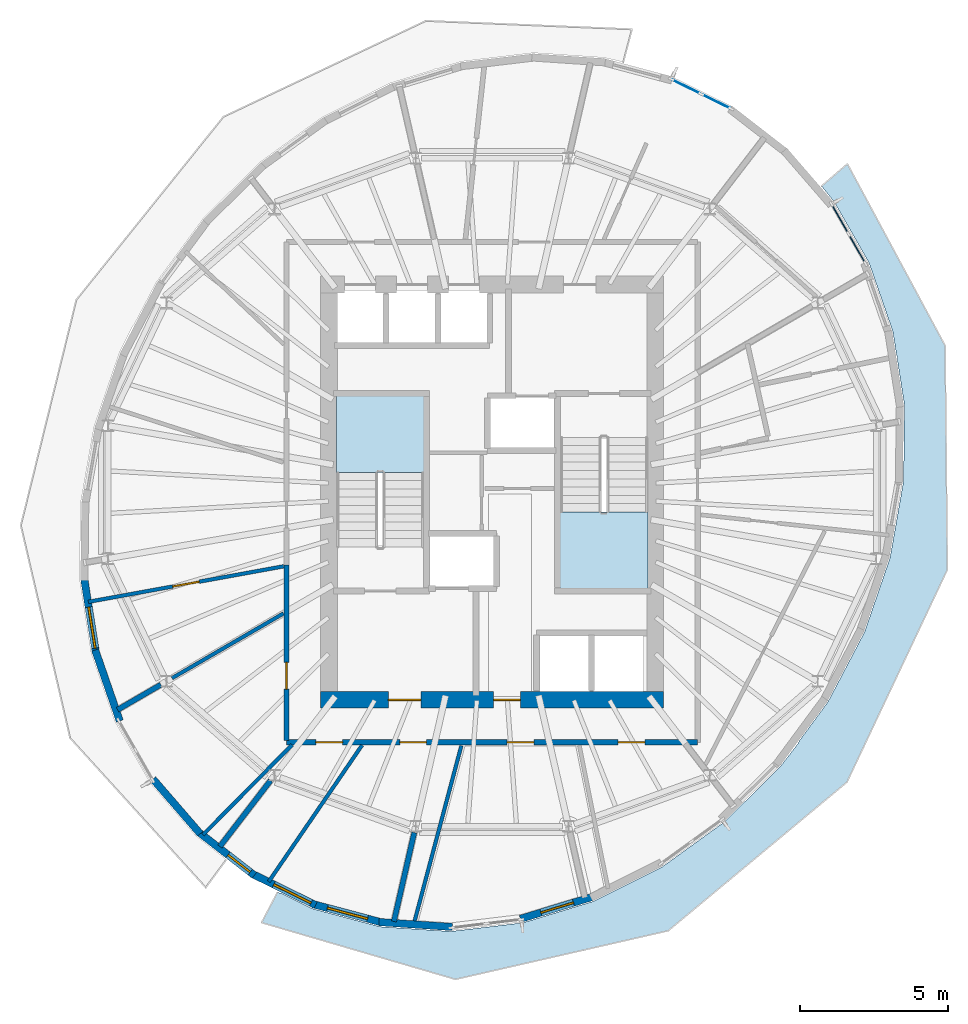
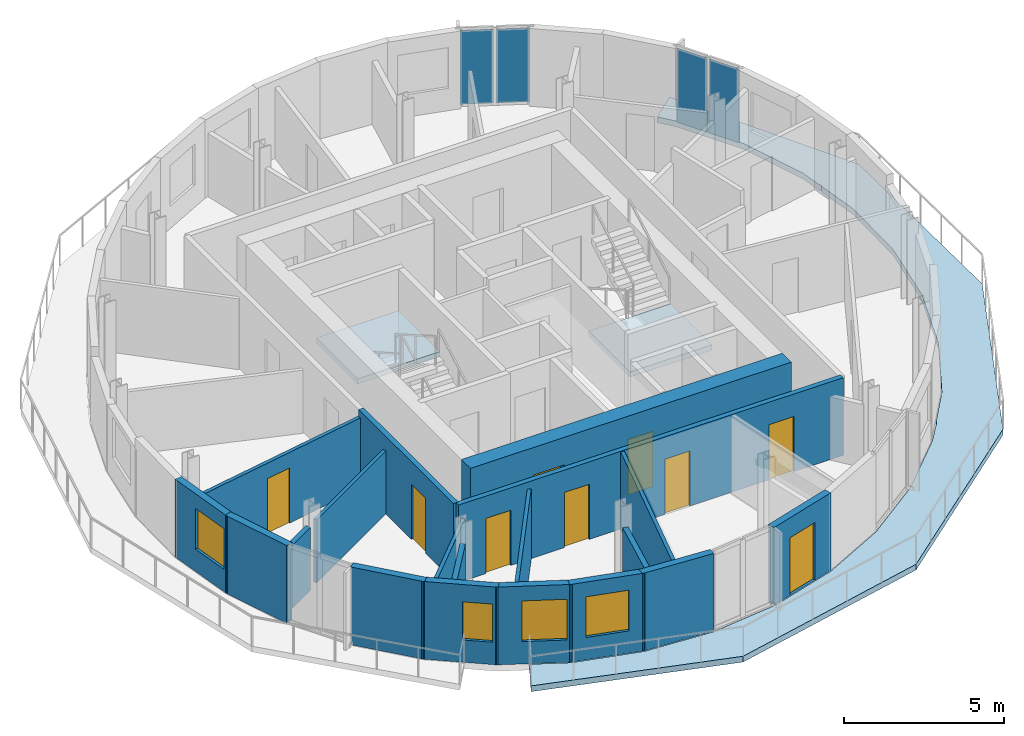
# One storey, part 4 of 9: 19 walls, 9 doors, 4 plates, 4 windows, 3 slabs, 13 openings, 4 elements without a shape of their own.
"""IFC4 building model written with IfcOpenShell, lengths in metres."""

from ifc_helpers import new_model, si_unit, direction, frame, frame_2d, origin, origin_2d, place, context, subcontext, project, spatial, polyline, rectangle, outline, extrude, material, layer, layer_set, type_object, element, fill, aggregate, save


model = new_model("IFC4")

# Units and contexts
model_context = context("Model", 3, precision=1e-05, world=origin(), true_north=direction((0.0, 1.0)))
body_context = subcontext(model_context, "Body", "Model", "MODEL_VIEW")
ifc_project = project(units=[si_unit("LENGTHUNIT", "METRE"), si_unit("AREAUNIT", "SQUARE_METRE"), si_unit("VOLUMEUNIT", "CUBIC_METRE"), si_unit("PLANEANGLEUNIT", "RADIAN"), si_unit("MASSUNIT", "GRAM", prefix="KILO")], contexts=[model_context])

# Site, building, storey
site_placement = place(None, origin())
site = spatial("IfcSite", under=ifc_project, at=site_placement, CompositionType="ELEMENT")
building_placement = place(site_placement, origin())
building = spatial("IfcBuilding", under=site, at=building_placement, Name="Veldorim Arch Residences", CompositionType="ELEMENT")
storey_placement = place(building_placement, frame((0.0, 0.0, 233.43994140625)))
storey = spatial("IfcBuildingStorey", under=building, at=storey_placement, Name="L70", CompositionType="ELEMENT", Elevation=233.43994140625)

# Slab
ifc_material_1 = material(Name="Concrete C40/50", Category="concrete")
ifc_layer_1 = layer(ifc_material_1, 0.219970703125, Name="Planted Crescent Cantilever Balcony Slab 220")
ifc_layer_set_1 = layer_set([ifc_layer_1], Name="Concrete C40/50")
slab_type_1 = type_object("IfcSlabType", Name="Planted Crescent Cantilever Balcony Slab 220", PredefinedType="FLOOR", material=ifc_layer_set_1)
slab_1_placement = place(storey_placement, frame((0.0, 0.0, -0.219970703125)))
element("IfcSlab", 1, at=slab_1_placement, inside=storey, type_object=slab_type_1, Name="L70 planted crescent balcony slab B", PredefinedType="FLOOR", context=body_context, shape_type="SweptSolid", body=[
    extrude(outline(polyline([(24.89111328125, 10.482421875), (25.947998046875, 9.960205078125), (28.220458984375, 9.35498046875), (30.607666015625, 9.195068359375), (33.037109375, 9.485107421875), (35.4345703125, 10.216064453125), (37.7275390625, 11.36572265625), (39.8466796875, 12.89892578125), (41.727294921875, 14.76953125), (42.314453125, 15.52978515625), (42.368408203125, 15.639404296875), (43.3125, 16.92041015625), (44.5537109375, 19.2861328125), (45.414306640625, 21.795166015625), (45.8671875, 24.37109375), (45.898681640625, 26.93603515625), (45.6669921875, 28.404052734375), (45.67236328125, 28.530517578125), (45.63330078125, 28.618408203125), (45.508056640625, 29.412109375), (44.70703125, 31.723876953125), (43.51953125, 33.80078125), (43.103515625, 34.315185546875), (43.974609375, 35.06591796875), (47.2685546875, 28.93896484375), (47.3427734375, 21.384033203125), (43.959228515625, 14.22412109375), (37.93701171875, 9.2177734375), (30.7646484375, 7.57958984375), (24.2294921875, 9.490966796875), (24.762939453125, 10.509765625), (24.89111328125, 10.482421875)])), origin(), (0.0, 0.0, 1.0), 0.219970703125),
])

# Stair, slab
ifc_material_2 = material(Name="Concrete C40/50", Category="concrete")
stair_type = type_object("IfcStairType", Name="Reinforced Concrete Dogleg Exit Staircase", PredefinedType="HALF_TURN_STAIR", material=ifc_material_2)
stair_1_placement = place(storey_placement, origin())
stair_1 = element("IfcStair", 2, at=stair_1_placement, inside=storey, type_object=stair_type, Name="L70 Exit Staircase ST-1", PredefinedType="HALF_TURN_STAIR")
ifc_material_3 = material(Name="Concrete C40/50", Category="concrete")
ifc_layer_2 = layer(ifc_material_3, 0.199951171875, Name="Reinforced Concrete Stair Landing 200")
ifc_layer_set_2 = layer_set([ifc_layer_2], Name="Concrete C40/50")
slab_type_2 = type_object("IfcSlabType", Name="Reinforced Concrete Stair Landing 200", PredefinedType="LANDING", material=ifc_layer_set_2)
slab_2_placement = place(storey_placement, frame((0.0, 0.0, 1.400146484375)))
slab_2 = element("IfcSlab", 3, at=slab_2_placement, type_object=slab_type_2, Name="ST-1 landing 1", PredefinedType="LANDING", context=body_context, shape_type="SweptSolid", body=[
    extrude(outline(polyline([(29.7099609375, 24.669921875), (29.7099609375, 27.25), (26.75, 27.25), (26.75, 24.669921875), (29.7099609375, 24.669921875)])), origin(), (0.0, 0.0, 1.0), 0.199951171875),
])
aggregate(stair_1, [slab_2])

stair_2_placement = place(storey_placement, origin())
stair_2 = element("IfcStair", 4, at=stair_2_placement, inside=storey, type_object=stair_type, Name="L70 Exit Staircase ST-2", PredefinedType="HALF_TURN_STAIR")
slab_3_placement = place(storey_placement, frame((0.0, 0.0, 1.400146484375)))
slab_3 = element("IfcSlab", 5, at=slab_3_placement, type_object=slab_type_2, Name="ST-2 landing 1", PredefinedType="LANDING", context=body_context, shape_type="SweptSolid", body=[
    extrude(outline(polyline([(34.2900390625, 23.330078125), (34.2900390625, 20.75), (37.25, 20.75), (37.25, 23.330078125), (34.2900390625, 23.330078125)])), origin(), (0.0, 0.0, 1.0), 0.199951171875),
])
aggregate(stair_2, [slab_3])

# Curtain wall, plates
ifc_material_4 = material(Name="Aluminium", Category="aluminium")
curtain_wall_type = type_object("IfcCurtainWallType", Name="Zone 4 High-Altitude Unitised Curtain Wall", PredefinedType="NOTDEFINED", material=ifc_material_4)
curtain_wall_1_placement = place(storey_placement, origin())
curtain_wall_1 = element("IfcCurtainWall", 6, at=curtain_wall_1_placement, inside=storey, type_object=curtain_wall_type, Name="L70 unitised curtain wall bay 01", PredefinedType="NOTDEFINED")
ifc_material_5 = material(Name="Laminated Low-E Glass", Category="glass")
ifc_layer_3 = layer(ifc_material_5, 0.030029296875, Name="Zone 4 High-Altitude Unitised Curtain Wall Glazing Panel 30")
ifc_layer_set_3 = layer_set([ifc_layer_3], Name="Laminated Low-E Glass")
plate_type = type_object("IfcPlateType", Name="Zone 4 High-Altitude Unitised Curtain Wall Glazing Panel 30", PredefinedType="CURTAIN_PANEL", material=ifc_layer_set_3)
plate_1_placement = place(storey_placement, frame((38.541259765625, 37.669677734375, 0.074951171875), z_axis=(0.0, 0.0, 1.0), x_axis=(0.896525107372, -0.442992925285, 0.0)))
plate_1 = element("IfcPlate", 7, at=plate_1_placement, type_object=plate_type, Name="CW-Z4 panel 1.1", PredefinedType="CURTAIN_PANEL", context=body_context, shape_type="SweptSolid", body=[
    extrude(rectangle(XDim=1.0498046875, YDim=0.030029296875, at=origin_2d()), origin(), (0.0, 0.0, 1.0), 2.81005859375),
])
plate_2_placement = place(storey_placement, frame((39.549560546875, 37.17138671875, 0.074951171875), z_axis=(0.0, 0.0, 1.0), x_axis=(0.896525107372, -0.442992925285, 0.0)))
plate_2 = element("IfcPlate", 8, at=plate_2_placement, type_object=plate_type, Name="CW-Z4 panel 2.1", PredefinedType="CURTAIN_PANEL", context=body_context, shape_type="SweptSolid", body=[
    extrude(rectangle(XDim=1.0498046875, YDim=0.030029296875, at=origin_2d()), origin(), (0.0, 0.0, 1.0), 2.81005859375),
])
aggregate(curtain_wall_1, [plate_1, plate_2])

curtain_wall_2_placement = place(storey_placement, origin())
curtain_wall_2 = element("IfcCurtainWall", 9, at=curtain_wall_2_placement, inside=storey, type_object=curtain_wall_type, Name="L70 unitised curtain wall bay 34", PredefinedType="NOTDEFINED")
plate_3_placement = place(storey_placement, frame((43.7265625, 33.207275390625, 0.074951171875), z_axis=(0.0, 0.0, 1.0), x_axis=(0.496274235915, -0.868165815249, 0.0)))
plate_3 = element("IfcPlate", 10, at=plate_3_placement, type_object=plate_type, Name="CW-Z4 panel 1.1", PredefinedType="CURTAIN_PANEL", context=body_context, shape_type="SweptSolid", body=[
    extrude(rectangle(XDim=1.081298828125, YDim=0.030029296875, at=origin_2d()), origin(), (0.0, 0.0, 1.0), 2.81005859375),
])
plate_4_placement = place(storey_placement, frame((44.300537109375, 32.203125, 0.074951171875), z_axis=(0.0, 0.0, 1.0), x_axis=(0.496274235915, -0.868165815249, 0.0)))
plate_4 = element("IfcPlate", 11, at=plate_4_placement, type_object=plate_type, Name="CW-Z4 panel 2.1", PredefinedType="CURTAIN_PANEL", context=body_context, shape_type="SweptSolid", body=[
    extrude(rectangle(XDim=1.081298828125, YDim=0.030029296875, at=origin_2d()), origin(), (0.0, 0.0, 1.0), 2.81005859375),
])
aggregate(curtain_wall_2, [plate_3, plate_4])

# Walls
ifc_material_6 = material(Name="Acoustic Gypsum Board", Category="gypsum")
ifc_layer_4 = layer(ifc_material_6, 0.125, Name="Acoustic Stud Room Partition Wall 125")
ifc_layer_set_4 = layer_set([ifc_layer_4], Name="Acoustic Gypsum Board")
wall_type_1 = type_object("IfcWallType", Name="Acoustic Stud Room Partition Wall 125", PredefinedType="PARTITIONING", material=ifc_layer_set_4)
wall_1_placement = place(storey_placement, frame((29.36083984375, 9.444091796875, 0.0), z_axis=(0.0, 0.0, 1.0), x_axis=(0.257643106476, 0.966240151145, 0.0)))
element("IfcWall", 12, at=wall_1_placement, inside=storey, type_object=wall_type_1, Name="L70 interior wall WL-RES-L70-008", PredefinedType="PARTITIONING", context=body_context, shape_type="SweptSolid", body=[
    extrude(rectangle(XDim=6.219970703125, YDim=0.125, at=frame_2d((3.10986328125, 0.0))), origin(), (0.0, 0.0, 1.0), 2.955078125),
])
wall_2_placement = place(storey_placement, frame((24.47119140625, 10.873779296875, 0.0), z_axis=(0.0, 0.0, 1.0), x_axis=(0.564753044296, 0.825259958412, 0.0)))
element("IfcWall", 13, at=wall_2_placement, inside=storey, type_object=wall_type_1, Name="L70 interior wall WL-RES-L70-009", PredefinedType="PARTITIONING", context=body_context, shape_type="SweptSolid", body=[
    extrude(rectangle(XDim=5.570556640625, YDim=0.125, at=frame_2d((2.78515625, 0.0))), origin(), (0.0, 0.0, 1.0), 2.692138671875),
])
wall_3_placement = place(storey_placement, frame((22.2509765625, 12.447998046875, 0.0), z_axis=(0.0, 0.0, 1.0), x_axis=(0.7036132626, 0.710583124408, 0.0)))
element("IfcWall", 14, at=wall_3_placement, inside=storey, type_object=wall_type_1, Name="L70 interior wall WL-RES-L70-010", PredefinedType="PARTITIONING", context=body_context, shape_type="SweptSolid", body=[
    extrude(rectangle(XDim=4.2734375, YDim=0.125, at=frame_2d((2.13671875, 0.0))), origin(), (0.0, 0.0, 1.0), 2.403564453125),
])
wall_4_placement = place(storey_placement, frame((21.209716796875, 17.7294921875, 0.0), z_axis=(0.0, 0.0, 1.0), x_axis=(0.864603130846, 0.502455397155, 0.0)))
element("IfcWall", 15, at=wall_4_placement, inside=storey, type_object=wall_type_1, Name="L70 interior wall WL-RES-L70-011", PredefinedType="PARTITIONING", context=body_context, shape_type="SweptSolid", body=[
    extrude(rectangle(XDim=4.344970703125, YDim=0.125, at=frame_2d((2.17236328125, 0.0))), origin(), (0.0, 0.0, 1.0), 2.403564453125),
])

# Wall, opening, door
wall_5_placement = place(storey_placement, frame((24.9716796875, 21.50048828125, 0.0), z_axis=(0.0, 0.0, 1.0), x_axis=(-0.983829605244, -0.179106973193, 0.0)))
wall_5 = element("IfcWall", 16, at=wall_5_placement, inside=storey, type_object=wall_type_1, Name="L70 interior wall WL-RES-L70-023", PredefinedType="PARTITIONING", context=body_context, shape_type="SweptSolid", body=[
    extrude(rectangle(XDim=6.69140625, YDim=0.125, at=frame_2d((3.345703125, 0.0))), origin(), (0.0, 0.0, 1.0), 2.692138671875),
])
opening_1_placement = place(wall_5_placement, frame((2.8955078125, 0.0, 0.0)))
opening_1 = element("IfcOpeningElement", 17, at=opening_1_placement, cuts=wall_5, Name="Opening DR-INT", PredefinedType="OPENING", context=body_context, shape_type="SweptSolid", body=[
    extrude(rectangle(XDim=0.89990234375, YDim=2.10009765625, at=frame_2d((0.449951171875, 1.050048828125))), frame((0.0, 0.072509765625, 0.0), z_axis=(0.0, -1.0, 0.0), x_axis=(1.0, 0.0, 0.0)), (0.0, 0.0, 1.0), 0.14501953125),
])
ifc_material_7 = material(Name="Engineered Timber", Category="wood")
door_type_1 = type_object("IfcDoorType", Name="Apartment Internal Room Timber Door 900x2100", OperationType="SINGLE_SWING_LEFT", PredefinedType="DOOR", material=ifc_material_7)
door_1_placement = place(opening_1_placement, origin())
door_1 = element("IfcDoor", 18, at=door_1_placement, inside=storey, type_object=door_type_1, Name="L70 interior door DR-RES-L70-018", OperationType="SINGLE_SWING_RIGHT", OverallHeight=2.10009765625, OverallWidth=0.89990234375, PredefinedType="DOOR", context=body_context, shape_type="SweptSolid", body=[
    extrude(rectangle(XDim=0.89990234375, YDim=2.10009765625, at=frame_2d((0.449951171875, 1.050048828125))), frame((0.0, 0.02490234375, 0.0), z_axis=(0.0, -1.0, 0.0), x_axis=(1.0, 0.0, 0.0)), (0.0, 0.0, 1.0), 0.050048828125),
])
fill(opening_1, door_1)

# Walls
ifc_material_8 = material(Name="Lightweight Masonry Block & Gypsum", Category="masonry")
ifc_layer_5 = layer(ifc_material_8, 0.179931640625, Name="Compartment & Corridor Fire-Rated Party Wall 180")
ifc_layer_set_5 = layer_set([ifc_layer_5], Name="Lightweight Masonry Block & Gypsum")
wall_type_2 = type_object("IfcWallType", Name="Compartment & Corridor Fire-Rated Party Wall 180", PredefinedType="PARTITIONING", material=ifc_layer_set_5)
wall_6_placement = place(storey_placement, frame((20.834716796875, 17.51171875, 0.0), z_axis=(0.0, 0.0, 1.0), x_axis=(-0.864596354204, -0.502467057923, 0.0)))
element("IfcWall", 19, at=wall_6_placement, inside=storey, type_object=wall_type_2, Name="L70 interior wall WL-PIER-L70-10", PredefinedType="PARTITIONING", context=body_context, shape_type="SweptSolid", body=[
    extrude(rectangle(XDim=1.6875, YDim=0.179931640625, at=frame_2d((0.84375, 0.0))), origin(), (0.0, 0.0, 1.0), 2.403564453125),
])
wall_7_placement = place(storey_placement, frame((24.53271484375, 14.280517578125, 0.0), z_axis=(0.0, 0.0, 1.0), x_axis=(-0.609243973043, -0.792982837967, 0.0)))
element("IfcWall", 20, at=wall_7_placement, inside=storey, type_object=wall_type_2, Name="L70 interior wall WL-PIER-L70-11", PredefinedType="PARTITIONING", context=body_context, shape_type="SweptSolid", body=[
    extrude(rectangle(XDim=2.806396484375, YDim=0.179931640625, at=frame_2d((1.4033203125, 0.0))), origin(), (0.0, 0.0, 1.0), 2.403564453125),
])
wall_8_placement = place(storey_placement, frame((29.3759765625, 12.526611328125, 0.0), z_axis=(0.0, 0.0, 1.0), x_axis=(-0.223020975075, -0.974813646128, 0.0)))
element("IfcWall", 21, at=wall_8_placement, inside=storey, type_object=wall_type_2, Name="L70 interior wall WL-PIER-L70-12", PredefinedType="PARTITIONING", context=body_context, shape_type="SweptSolid", body=[
    extrude(rectangle(XDim=3.074951171875, YDim=0.179931640625, at=frame_2d((1.53759765625, 0.0))), origin(), (0.0, 0.0, 1.0), 2.403564453125),
])

# Wall, openings, doors
wall_9_placement = place(storey_placement, frame((38.929931640625, 15.570068359375, 0.0), z_axis=(0.0, 0.0, 1.0), x_axis=(-1.0, 0.0, 0.0)))
wall_9 = element("IfcWall", 22, at=wall_9_placement, inside=storey, type_object=wall_type_2, Name="L70 interior wall WL-RES-L70-001", PredefinedType="PARTITIONING", context=body_context, shape_type="SweptSolid", body=[
    extrude(rectangle(XDim=13.85986328125, YDim=0.179931640625, at=frame_2d((6.929931640625, 0.0))), origin(), (0.0, 0.0, 1.0), 2.955078125),
])
opening_2_placement = place(wall_9_placement, frame((1.780517578125, 0.0, 0.0)))
opening_2 = element("IfcOpeningElement", 23, at=opening_2_placement, cuts=wall_9, Name="Opening DR-SVC", PredefinedType="OPENING", context=body_context, shape_type="SweptSolid", body=[
    extrude(rectangle(XDim=0.89990234375, YDim=2.10009765625, at=frame_2d((0.449951171875, 1.050048828125))), frame((0.0, 0.099853515625, 0.0), z_axis=(0.0, -1.0, 0.0), x_axis=(1.0, 0.0, 0.0)), (0.0, 0.0, 1.0), 0.199951171875),
])
opening_3_placement = place(wall_9_placement, frame((5.5244140625, 0.0, 0.0)))
opening_3 = element("IfcOpeningElement", 24, at=opening_3_placement, cuts=wall_9, Name="Opening DR-INT", PredefinedType="OPENING", context=body_context, shape_type="SweptSolid", body=[
    extrude(rectangle(XDim=0.89990234375, YDim=2.10009765625, at=frame_2d((0.449951171875, 1.050048828125))), frame((0.0, 0.099853515625, 0.0), z_axis=(0.0, -1.0, 0.0), x_axis=(1.0, 0.0, 0.0)), (0.0, 0.0, 1.0), 0.199951171875),
])
opening_4_placement = place(wall_9_placement, frame((9.142578125, 0.0, 0.0)))
opening_4 = element("IfcOpeningElement", 25, at=opening_4_placement, cuts=wall_9, Name="Opening DR-INT", PredefinedType="OPENING", context=body_context, shape_type="SweptSolid", body=[
    extrude(rectangle(XDim=0.89990234375, YDim=2.10009765625, at=frame_2d((0.449951171875, 1.050048828125))), frame((0.0, 0.099853515625, 0.0), z_axis=(0.0, -1.0, 0.0), x_axis=(1.0, 0.0, 0.0)), (0.0, 0.0, 1.0), 0.199951171875),
])
opening_5_placement = place(wall_9_placement, frame((11.970458984375, 0.0, 0.0)))
opening_5 = element("IfcOpeningElement", 26, at=opening_5_placement, cuts=wall_9, Name="Opening DR-INT", PredefinedType="OPENING", context=body_context, shape_type="SweptSolid", body=[
    extrude(rectangle(XDim=0.89990234375, YDim=2.10009765625, at=frame_2d((0.449951171875, 1.050048828125))), frame((0.0, 0.099853515625, 0.0), z_axis=(0.0, -1.0, 0.0), x_axis=(1.0, 0.0, 0.0)), (0.0, 0.0, 1.0), 0.199951171875),
])
door_2_placement = place(opening_3_placement, origin())
door_2 = element("IfcDoor", 27, at=door_2_placement, inside=storey, type_object=door_type_1, Name="L70 interior door DR-RES-L70-002", OperationType="SINGLE_SWING_RIGHT", OverallHeight=2.10009765625, OverallWidth=0.89990234375, PredefinedType="DOOR", context=body_context, shape_type="SweptSolid", body=[
    extrude(rectangle(XDim=0.89990234375, YDim=2.10009765625, at=frame_2d((0.449951171875, 1.050048828125))), frame((0.0, 0.02490234375, 0.0), z_axis=(0.0, -1.0, 0.0), x_axis=(1.0, 0.0, 0.0)), (0.0, 0.0, 1.0), 0.050048828125),
])
fill(opening_3, door_2)
door_3_placement = place(opening_4_placement, origin())
door_3 = element("IfcDoor", 28, at=door_3_placement, inside=storey, type_object=door_type_1, Name="L70 interior door DR-RES-L70-003", OperationType="SINGLE_SWING_LEFT", OverallHeight=2.10009765625, OverallWidth=0.89990234375, PredefinedType="DOOR", context=body_context, shape_type="SweptSolid", body=[
    extrude(rectangle(XDim=0.89990234375, YDim=2.10009765625, at=frame_2d((0.449951171875, 1.050048828125))), frame((0.0, 0.02490234375, 0.0), z_axis=(0.0, -1.0, 0.0), x_axis=(1.0, 0.0, 0.0)), (0.0, 0.0, 1.0), 0.050048828125),
])
fill(opening_4, door_3)
door_4_placement = place(opening_5_placement, origin())
door_4 = element("IfcDoor", 29, at=door_4_placement, inside=storey, type_object=door_type_1, Name="L70 interior door DR-RES-L70-004", OperationType="SINGLE_SWING_RIGHT", OverallHeight=2.10009765625, OverallWidth=0.89990234375, PredefinedType="DOOR", context=body_context, shape_type="SweptSolid", body=[
    extrude(rectangle(XDim=0.89990234375, YDim=2.10009765625, at=frame_2d((0.449951171875, 1.050048828125))), frame((0.0, 0.02490234375, 0.0), z_axis=(0.0, -1.0, 0.0), x_axis=(1.0, 0.0, 0.0)), (0.0, 0.0, 1.0), 0.050048828125),
])
fill(opening_5, door_4)
ifc_material_9 = material(Name="Fire-Rated Steel", Category="steel")
door_type_2 = type_object("IfcDoorType", Name="Riser, Shelter & Plant Room Rated Steel Door 900x2100", OperationType="SINGLE_SWING_LEFT", PredefinedType="DOOR", material=ifc_material_9)
door_5_placement = place(opening_2_placement, origin())
door_5 = element("IfcDoor", 30, at=door_5_placement, inside=storey, type_object=door_type_2, Name="L70 interior door DR-RES-L70-001", OperationType="SINGLE_SWING_LEFT", OverallHeight=2.10009765625, OverallWidth=0.89990234375, PredefinedType="DOOR", context=body_context, shape_type="SweptSolid", body=[
    extrude(rectangle(XDim=0.89990234375, YDim=2.10009765625, at=frame_2d((0.449951171875, 1.050048828125))), frame((0.0, 0.02490234375, 0.0), z_axis=(0.0, -1.0, 0.0), x_axis=(1.0, 0.0, 0.0)), (0.0, 0.0, 1.0), 0.050048828125),
])
fill(opening_2, door_5)

# Wall, opening, door
wall_10_placement = place(storey_placement, frame((25.070068359375, 15.6298828125, 0.0), z_axis=(0.0, 0.0, 1.0), x_axis=(0.0, 1.0, 0.0)))
wall_10 = element("IfcWall", 31, at=wall_10_placement, inside=storey, type_object=wall_type_2, Name="L70 interior wall WL-RES-L70-002", PredefinedType="PARTITIONING", context=body_context, shape_type="SweptSolid", body=[
    extrude(rectangle(XDim=5.90869140625, YDim=0.179931640625, at=frame_2d((2.954345703125, 0.0))), origin(), (0.0, 0.0, 1.0), 2.955078125),
])
opening_6_placement = place(wall_10_placement, frame((1.7314453125, 0.0, 0.0)))
opening_6 = element("IfcOpeningElement", 32, at=opening_6_placement, cuts=wall_10, Name="Opening DR-INT", PredefinedType="OPENING", context=body_context, shape_type="SweptSolid", body=[
    extrude(rectangle(XDim=0.89990234375, YDim=2.10009765625, at=frame_2d((0.449951171875, 1.050048828125))), frame((0.0, 0.099853515625, 0.0), z_axis=(0.0, -1.0, 0.0), x_axis=(1.0, 0.0, 0.0)), (0.0, 0.0, 1.0), 0.199951171875),
])
door_6_placement = place(opening_6_placement, origin())
door_6 = element("IfcDoor", 33, at=door_6_placement, inside=storey, type_object=door_type_1, Name="L70 interior door DR-RES-L70-005", OperationType="SINGLE_SWING_LEFT", OverallHeight=2.10009765625, OverallWidth=0.89990234375, PredefinedType="DOOR", context=body_context, shape_type="SweptSolid", body=[
    extrude(rectangle(XDim=0.89990234375, YDim=2.10009765625, at=frame_2d((0.449951171875, 1.050048828125))), frame((0.0, 0.02490234375, 0.0), z_axis=(0.0, -1.0, 0.0), x_axis=(1.0, 0.0, 0.0)), (0.0, 0.0, 1.0), 0.050048828125),
])
fill(opening_6, door_6)

# Wall, opening, window
ifc_material_10 = material(Name="Precast concrete C40/50", Category="concrete")
ifc_layer_6 = layer(ifc_material_10, 0.25, Name="Tower Terracotta Spandrel & Pier Wall 250")
ifc_layer_set_6 = layer_set([ifc_layer_6], Name="Precast concrete C40/50")
wall_type_3 = type_object("IfcWallType", Name="Tower Terracotta Spandrel & Pier Wall 250", PredefinedType="SOLIDWALL", material=ifc_layer_set_6)
wall_11_placement = place(storey_placement, frame((18.646728515625, 18.569091796875, 0.0), z_axis=(0.0, 0.0, 1.0), x_axis=(-0.155778786526, 0.987791966797, 0.0)))
wall_11 = element("IfcWall", 34, at=wall_11_placement, inside=storey, type_object=wall_type_3, Name="L70 terracotta facade wall 14", PredefinedType="SOLIDWALL", context=body_context, shape_type="SweptSolid", body=[
    extrude(rectangle(XDim=2.59228515625, YDim=0.25, at=frame_2d((1.296142578125, 0.0))), origin(), (0.0, 0.0, 1.0), 2.9599609375),
])
opening_7_placement = place(wall_11_placement, frame((0.175048828125, 0.0, 0.85009765625)))
opening_7 = element("IfcOpeningElement", 35, at=opening_7_placement, cuts=wall_11, Name="Opening WN-02", PredefinedType="OPENING", context=body_context, shape_type="SweptSolid", body=[
    extrude(rectangle(XDim=1.39990234375, YDim=1.550048828125, at=frame_2d((0.699951171875, 0.77490234375))), frame((0.0, 0.135009765625, 0.0), z_axis=(0.0, -1.0, 0.0), x_axis=(1.0, 0.0, 0.0)), (0.0, 0.0, 1.0), 0.27001953125),
])
ifc_material_11 = material(Name="Laminated Low-E Glass", Category="glass")
window_type_1 = type_object("IfcWindowType", Name="Residential Casement Window 1400x1550", PartitioningType="SINGLE_PANEL", PredefinedType="WINDOW", material=ifc_material_11)
window_1_placement = place(opening_7_placement, origin())
window_1 = element("IfcWindow", 36, at=window_1_placement, inside=storey, type_object=window_type_1, Name="L70 solar-control facade window 14", OverallHeight=1.550048828125, OverallWidth=1.39990234375, PartitioningType="SINGLE_PANEL", PredefinedType="WINDOW", context=body_context, shape_type="SweptSolid", body=[
    extrude(rectangle(XDim=1.39990234375, YDim=1.550048828125, at=frame_2d((0.699951171875, 0.77490234375))), frame((0.0, 0.030029296875, 0.0), z_axis=(0.0, -1.0, 0.0), x_axis=(1.0, 0.0, 0.0)), (0.0, 0.0, 1.0), 0.06005859375),
])
fill(opening_7, window_1)

# Walls
wall_12_placement = place(storey_placement, frame((19.44873046875, 16.284912109375, 0.0), z_axis=(0.0, 0.0, 1.0), x_axis=(-0.327428450427, 0.944875975909, 0.0)))
element("IfcWall", 37, at=wall_12_placement, inside=storey, type_object=wall_type_3, Name="L70 terracotta facade wall 15", PredefinedType="SOLIDWALL", context=body_context, shape_type="SweptSolid", body=[
    extrude(rectangle(XDim=2.5322265625, YDim=0.25, at=frame_2d((1.26611328125, 0.0))), origin(), (0.0, 0.0, 1.0), 2.9599609375),
])
wall_13_placement = place(storey_placement, frame((22.159423828125, 12.485595703125, 0.0), z_axis=(0.0, 0.0, 1.0), x_axis=(-0.653838956375, 0.756633741732, 0.0)))
element("IfcWall", 38, at=wall_13_placement, inside=storey, type_object=wall_type_3, Name="L70 terracotta facade wall 17", PredefinedType="SOLIDWALL", context=body_context, shape_type="SweptSolid", body=[
    extrude(rectangle(XDim=2.436767578125, YDim=0.25, at=frame_2d((1.21826171875, 0.0))), origin(), (0.0, 0.0, 1.0), 2.9599609375),
])

# Wall, opening, window
wall_14_placement = place(storey_placement, frame((23.98486328125, 11.084716796875, 0.0), z_axis=(0.0, 0.0, 1.0), x_axis=(-0.790325704793, 0.612686935019, 0.0)))
wall_14 = element("IfcWall", 39, at=wall_14_placement, inside=storey, type_object=wall_type_3, Name="L70 terracotta facade wall 18", PredefinedType="SOLIDWALL", context=body_context, shape_type="SweptSolid", body=[
    extrude(rectangle(XDim=2.414794921875, YDim=0.25, at=frame_2d((1.20751953125, 0.0))), origin(), (0.0, 0.0, 1.0), 2.9599609375),
])
opening_8_placement = place(wall_14_placement, frame((0.175048828125, 0.0, 0.85009765625)))
opening_8 = element("IfcOpeningElement", 40, at=opening_8_placement, cuts=wall_14, Name="Opening WN-05", PredefinedType="OPENING", context=body_context, shape_type="SweptSolid", body=[
    extrude(rectangle(XDim=0.949951171875, YDim=1.449951171875, at=frame_2d((0.47509765625, 0.72509765625))), frame((0.0, 0.135009765625, 0.0), z_axis=(0.0, -1.0, 0.0), x_axis=(1.0, 0.0, 0.0)), (0.0, 0.0, 1.0), 0.27001953125),
])
ifc_material_12 = material(Name="Laminated Low-E Glass", Category="glass")
window_type_2 = type_object("IfcWindowType", Name="Residential Compact Casement Window 950x1450", PartitioningType="SINGLE_PANEL", PredefinedType="WINDOW", material=ifc_material_12)
window_2_placement = place(opening_8_placement, origin())
window_2 = element("IfcWindow", 41, at=window_2_placement, inside=storey, type_object=window_type_2, Name="L70 solar-control facade window 18", OverallHeight=1.449951171875, OverallWidth=0.949951171875, PartitioningType="SINGLE_PANEL", PredefinedType="WINDOW", context=body_context, shape_type="SweptSolid", body=[
    extrude(rectangle(XDim=0.949951171875, YDim=1.449951171875, at=frame_2d((0.47509765625, 0.72509765625))), frame((0.0, 0.030029296875, 0.0), z_axis=(0.0, -1.0, 0.0), x_axis=(1.0, 0.0, 0.0)), (0.0, 0.0, 1.0), 0.06005859375),
])
fill(opening_8, window_2)

wall_15_placement = place(storey_placement, frame((26.052490234375, 10.075927734375, 0.0), z_axis=(0.0, 0.0, 1.0), x_axis=(-0.896540415167, 0.442961944158, 0.0)))
wall_15 = element("IfcWall", 42, at=wall_15_placement, inside=storey, type_object=wall_type_3, Name="L70 terracotta facade wall 19", PredefinedType="SOLIDWALL", context=body_context, shape_type="SweptSolid", body=[
    extrude(rectangle(XDim=2.41455078125, YDim=0.25, at=frame_2d((1.207275390625, 0.0))), origin(), (0.0, 0.0, 1.0), 2.9599609375),
])
opening_9_placement = place(wall_15_placement, frame((0.175048828125, 0.0, 0.85009765625)))
opening_9 = element("IfcOpeningElement", 43, at=opening_9_placement, cuts=wall_15, Name="Opening WN-02", PredefinedType="OPENING", context=body_context, shape_type="SweptSolid", body=[
    extrude(rectangle(XDim=1.39990234375, YDim=1.550048828125, at=frame_2d((0.699951171875, 0.77490234375))), frame((0.0, 0.135009765625, 0.0), z_axis=(0.0, -1.0, 0.0), x_axis=(1.0, 0.0, 0.0)), (0.0, 0.0, 1.0), 0.27001953125),
])
window_3_placement = place(opening_9_placement, origin())
window_3 = element("IfcWindow", 44, at=window_3_placement, inside=storey, type_object=window_type_1, Name="L70 solar-control facade window 19", OverallHeight=1.550048828125, OverallWidth=1.39990234375, PartitioningType="SINGLE_PANEL", PredefinedType="WINDOW", context=body_context, shape_type="SweptSolid", body=[
    extrude(rectangle(XDim=1.39990234375, YDim=1.550048828125, at=frame_2d((0.699951171875, 0.77490234375))), frame((0.0, 0.030029296875, 0.0), z_axis=(0.0, -1.0, 0.0), x_axis=(1.0, 0.0, 0.0)), (0.0, 0.0, 1.0), 0.06005859375),
])
fill(opening_9, window_3)

wall_16_placement = place(storey_placement, frame((28.30029296875, 9.489013671875, 0.0), z_axis=(0.0, 0.0, 1.0), x_axis=(-0.96631636381, 0.257357115761, 0.0)))
wall_16 = element("IfcWall", 45, at=wall_16_placement, inside=storey, type_object=wall_type_3, Name="L70 terracotta facade wall 20", PredefinedType="SOLIDWALL", context=body_context, shape_type="SweptSolid", body=[
    extrude(rectangle(XDim=2.43701171875, YDim=0.25, at=frame_2d((1.218505859375, 0.0))), origin(), (0.0, 0.0, 1.0), 2.9599609375),
])
opening_10_placement = place(wall_16_placement, frame((0.51806640625, 0.0, 0.85009765625)))
opening_10 = element("IfcOpeningElement", 46, at=opening_10_placement, cuts=wall_16, Name="Opening WN-02", PredefinedType="OPENING", context=body_context, shape_type="SweptSolid", body=[
    extrude(rectangle(XDim=1.39990234375, YDim=1.550048828125, at=frame_2d((0.699951171875, 0.77490234375))), frame((0.0, 0.135009765625, 0.0), z_axis=(0.0, -1.0, 0.0), x_axis=(1.0, 0.0, 0.0)), (0.0, 0.0, 1.0), 0.27001953125),
])
window_4_placement = place(opening_10_placement, origin())
window_4 = element("IfcWindow", 47, at=window_4_placement, inside=storey, type_object=window_type_1, Name="L70 solar-control facade window 20", OverallHeight=1.550048828125, OverallWidth=1.39990234375, PartitioningType="SINGLE_PANEL", PredefinedType="WINDOW", context=body_context, shape_type="SweptSolid", body=[
    extrude(rectangle(XDim=1.39990234375, YDim=1.550048828125, at=frame_2d((0.699951171875, 0.77490234375))), frame((0.0, 0.030029296875, 0.0), z_axis=(0.0, -1.0, 0.0), x_axis=(1.0, 0.0, 0.0)), (0.0, 0.0, 1.0), 0.06005859375),
])
fill(opening_10, window_4)

# Wall
wall_17_placement = place(storey_placement, frame((30.660400390625, 9.341796875, 0.0), z_axis=(0.0, 0.0, 1.0), x_axis=(-0.997759800667, 0.06689828228, 0.0)))
element("IfcWall", 48, at=wall_17_placement, inside=storey, type_object=wall_type_3, Name="L70 terracotta facade wall 21", PredefinedType="SOLIDWALL", context=body_context, shape_type="SweptSolid", body=[
    extrude(rectangle(XDim=2.47802734375, YDim=0.25, at=frame_2d((1.239013671875, 0.0))), origin(), (0.0, 0.0, 1.0), 2.9599609375),
])

# Wall, opening, door
wall_18_placement = place(storey_placement, frame((35.431884765625, 10.3720703125, 0.0), z_axis=(0.0, 0.0, 1.0), x_axis=(-0.956515193001, -0.291682508145, 0.0)))
wall_18 = element("IfcWall", 49, at=wall_18_placement, inside=storey, type_object=wall_type_3, Name="L70 terracotta facade wall 23", PredefinedType="SOLIDWALL", context=body_context, shape_type="SweptSolid", body=[
    extrude(rectangle(XDim=2.59228515625, YDim=0.25, at=frame_2d((1.296142578125, 0.0))), origin(), (0.0, 0.0, 1.0), 2.9599609375),
])
opening_11_placement = place(wall_18_placement, frame((0.720947265625, 0.0, 0.0)))
opening_11 = element("IfcOpeningElement", 50, at=opening_11_placement, cuts=wall_18, Name="Opening BL-DR", PredefinedType="OPENING", context=body_context, shape_type="SweptSolid", body=[
    extrude(rectangle(XDim=1.14990234375, YDim=2.199951171875, at=frame_2d((0.574951171875, 1.10009765625))), frame((0.0, 0.135009765625, 0.0), z_axis=(0.0, -1.0, 0.0), x_axis=(1.0, 0.0, 0.0)), (0.0, 0.0, 1.0), 0.27001953125),
])
ifc_material_13 = material(Name="Aluminium & Low-E Glass", Category="aluminium")
door_type_3 = type_object("IfcDoorType", Name="Glazed Planted Balcony Door 1150x2200", OperationType="SINGLE_SWING_LEFT", PredefinedType="DOOR", material=ifc_material_13)
door_7_placement = place(opening_11_placement, origin())
door_7 = element("IfcDoor", 51, at=door_7_placement, inside=storey, type_object=door_type_3, Name="L70 glazed outdoor terrace door BALC-2", OperationType="SINGLE_SWING_LEFT", OverallHeight=2.199951171875, OverallWidth=1.14990234375, PredefinedType="DOOR", context=body_context, shape_type="SweptSolid", body=[
    extrude(rectangle(XDim=1.14990234375, YDim=2.199951171875, at=frame_2d((0.574951171875, 1.10009765625))), frame((0.0, 0.02490234375, 0.0), z_axis=(0.0, -1.0, 0.0), x_axis=(1.0, 0.0, 0.0)), (0.0, 0.0, 1.0), 0.050048828125),
])
fill(opening_11, door_7)

# Wall, openings, doors
ifc_material_14 = material(Name="Concrete C50/60", Category="concrete")
ifc_layer_7 = layer(ifc_material_14, 0.5, Name="Upper Central Core Shear Wall 560")
ifc_layer_set_7 = layer_set([ifc_layer_7], Name="Concrete C50/60")
wall_type_4 = type_object("IfcWallType", Name="Upper Central Core Shear Wall 560", PredefinedType="SHEAR", material=ifc_layer_set_7)
wall_19_placement = place(storey_placement, frame((26.219970703125, 17.0, 0.0), z_axis=(0.0, 0.0, 1.0), x_axis=(1.0, 0.0, 0.0)))
wall_19 = element("IfcWall", 52, at=wall_19_placement, inside=storey, type_object=wall_type_4, Name="L70 central core south shear wall", PredefinedType="SHEAR", context=body_context, shape_type="SweptSolid", body=[
    extrude(rectangle(XDim=11.56005859375, YDim=0.56005859375, at=frame_2d((5.780029296875, 0.0))), origin(), (0.0, 0.0, 1.0), 3.199951171875),
])
opening_12_placement = place(wall_19_placement, frame((2.280029296875, 0.0, 0.0)))
opening_12 = element("IfcOpeningElement", 53, at=opening_12_placement, cuts=wall_19, Name="Opening DR-FFL", PredefinedType="OPENING", context=body_context, shape_type="SweptSolid", body=[
    extrude(rectangle(XDim=1.10009765625, YDim=2.14990234375, at=frame_2d((0.550048828125, 1.074951171875))), frame((0.0, 0.2900390625, 0.0), z_axis=(0.0, -1.0, 0.0), x_axis=(1.0, 0.0, 0.0)), (0.0, 0.0, 1.0), 0.580078125),
])
opening_13_placement = place(wall_19_placement, frame((5.830078125, 0.0, 0.0)))
opening_13 = element("IfcOpeningElement", 54, at=opening_13_placement, cuts=wall_19, Name="Opening DR-SVC", PredefinedType="OPENING", context=body_context, shape_type="SweptSolid", body=[
    extrude(rectangle(XDim=0.89990234375, YDim=2.10009765625, at=frame_2d((0.449951171875, 1.050048828125))), frame((0.0, 0.2900390625, 0.0), z_axis=(0.0, -1.0, 0.0), x_axis=(1.0, 0.0, 0.0)), (0.0, 0.0, 1.0), 0.580078125),
])
ifc_material_15 = material(Name="Fire-Rated Steel & Vision Glass", Category="steel")
door_type_4 = type_object("IfcDoorType", Name="Firefighting Lobby Smoke-Stop Fire Door 1100x2150", OperationType="SINGLE_SWING_LEFT", PredefinedType="DOOR", material=ifc_material_15)
door_8_placement = place(opening_12_placement, origin())
door_8 = element("IfcDoor", 55, at=door_8_placement, inside=storey, type_object=door_type_4, Name="L70 interior door DR-L70-FFL1", OperationType="SINGLE_SWING_RIGHT", OverallHeight=2.14990234375, OverallWidth=1.10009765625, PredefinedType="DOOR", context=body_context, shape_type="SweptSolid", body=[
    extrude(rectangle(XDim=1.10009765625, YDim=2.14990234375, at=frame_2d((0.550048828125, 1.074951171875))), frame((0.0, 0.02490234375, 0.0), z_axis=(0.0, -1.0, 0.0), x_axis=(1.0, 0.0, 0.0)), (0.0, 0.0, 1.0), 0.050048828125),
])
fill(opening_12, door_8)
door_9_placement = place(opening_13_placement, origin())
door_9 = element("IfcDoor", 56, at=door_9_placement, inside=storey, type_object=door_type_2, Name="L70 interior door DR-L70-COR-ANC", OperationType="SINGLE_SWING_LEFT", OverallHeight=2.10009765625, OverallWidth=0.89990234375, PredefinedType="DOOR", context=body_context, shape_type="SweptSolid", body=[
    extrude(rectangle(XDim=0.89990234375, YDim=2.10009765625, at=frame_2d((0.449951171875, 1.050048828125))), frame((0.0, 0.02490234375, 0.0), z_axis=(0.0, -1.0, 0.0), x_axis=(1.0, 0.0, 0.0)), (0.0, 0.0, 1.0), 0.050048828125),
])
fill(opening_13, door_9)

save(model, "model.ifc")
